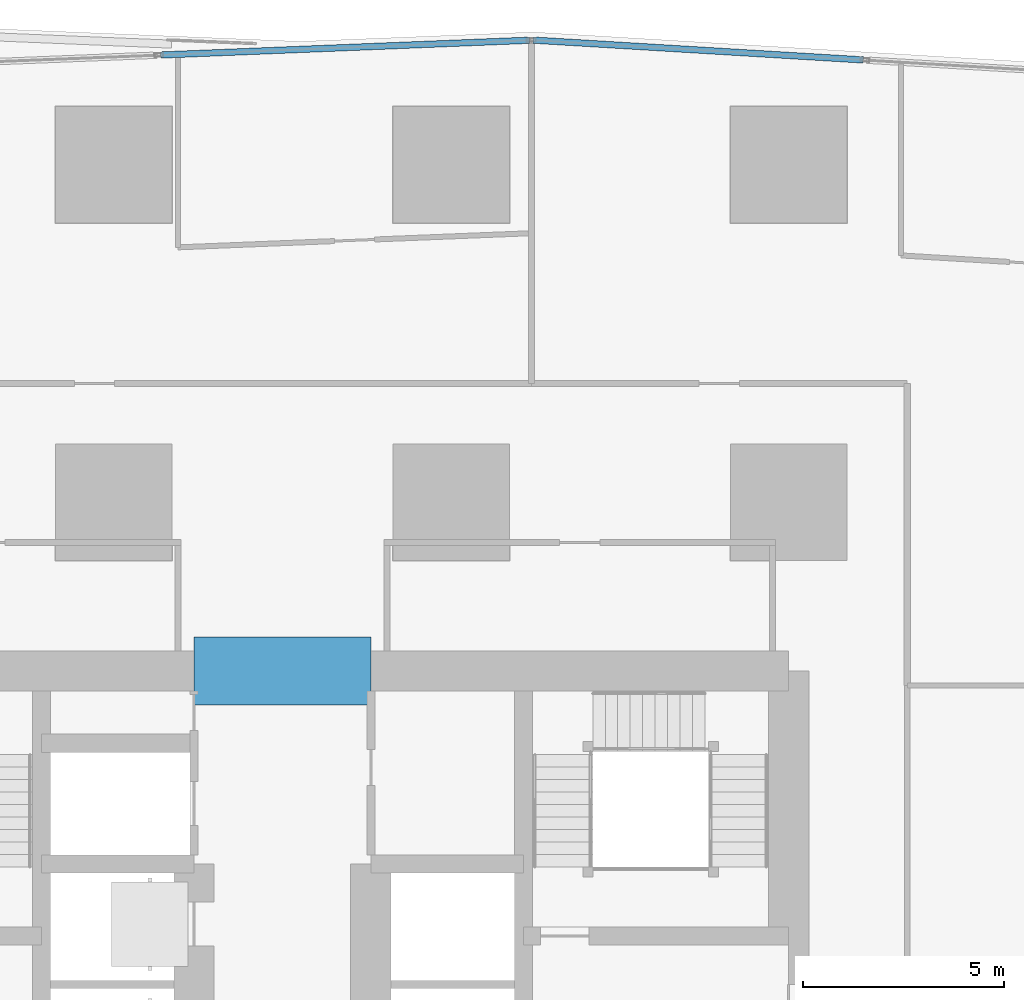
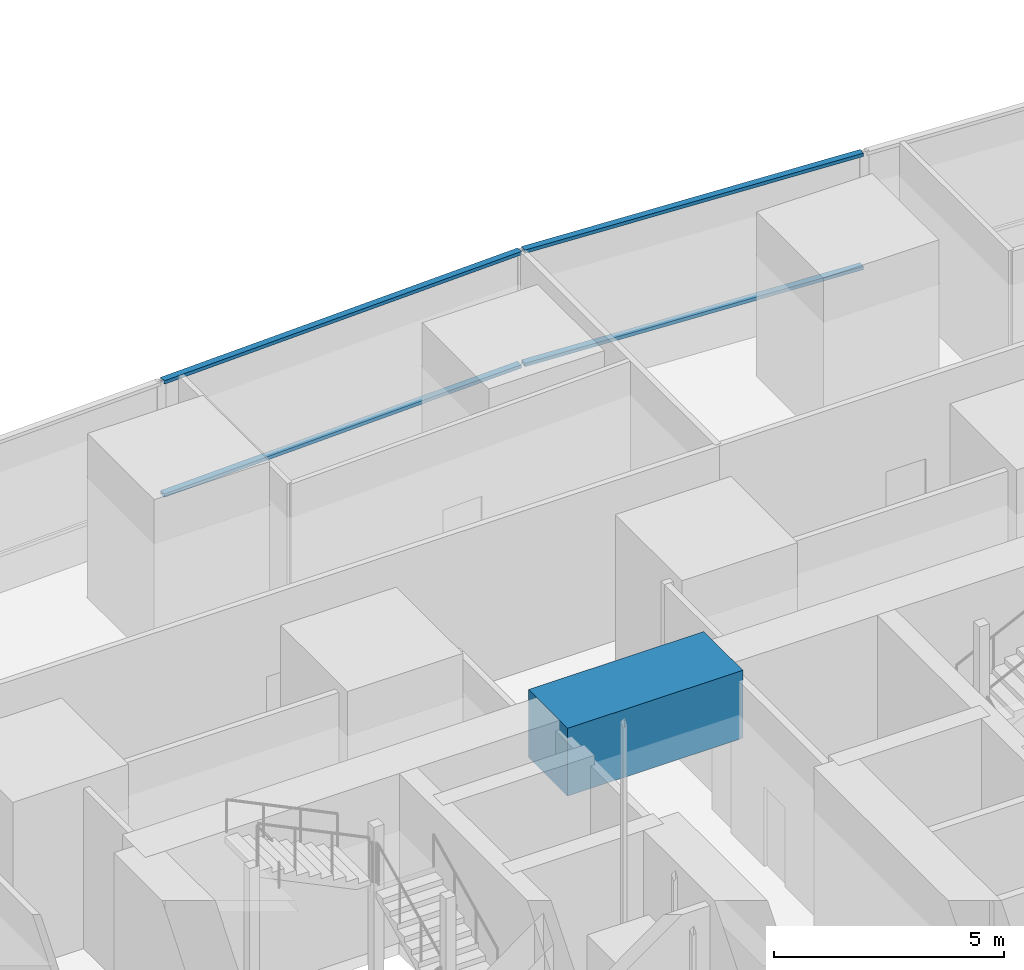
# One storey, part 11 of 44: 4 members, 1 beam, 2 elements without a shape of their own.
"""IFC4 building model written with IfcOpenShell, lengths in metres."""

from ifc_helpers import new_model, si_unit, direction, frame, origin, origin_2d, place, context, subcontext, project, spatial, rectangle, hollow_rectangle, extrude, material, material_profile, profile_set, type_object, element, aggregate, save


model = new_model("IFC4")

# Units and contexts
model_context = context("Model", 3, precision=1e-05, world=origin(), true_north=direction((0.0, 1.0)))
body_context = subcontext(model_context, "Body", "Model", "MODEL_VIEW")
ifc_project = project(units=[si_unit("LENGTHUNIT", "METRE"), si_unit("AREAUNIT", "SQUARE_METRE"), si_unit("VOLUMEUNIT", "CUBIC_METRE"), si_unit("PLANEANGLEUNIT", "RADIAN"), si_unit("MASSUNIT", "GRAM", prefix="KILO")], contexts=[model_context])

# Site, building, storey
site_placement = place(None, origin())
site = spatial("IfcSite", under=ifc_project, at=site_placement, CompositionType="ELEMENT")
building_placement = place(site_placement, origin())
building = spatial("IfcBuilding", under=site, at=building_placement, Name="Rekha Terrace Tower", CompositionType="ELEMENT")
storey_placement = place(building_placement, frame((0.0, 0.0, 90.800048828125)))
storey = spatial("IfcBuildingStorey", under=building, at=storey_placement, Name="L22", CompositionType="ELEMENT", Elevation=90.800048828125)

# Curtain wall, members
ifc_material_1 = material(Name="Aluminium framing", Category="aluminium")
curtain_wall_type = type_object("IfcCurtainWallType", Name="CW5 sky garden glazing", PredefinedType="USERDEFINED", material=ifc_material_1)
curtain_wall_1_placement = place(storey_placement, origin())
curtain_wall_1 = element("IfcCurtainWall", 1, at=curtain_wall_1_placement, inside=storey, type_object=curtain_wall_type, Name="CW5 sky garden curtain wall", ObjectType="SKY GARDEN CURTAIN WALL", PredefinedType="USERDEFINED")
ifc_material_2 = material(Name="Aluminium transom section", Category="aluminium")
ifc_material_profile_1 = material_profile(ifc_material_2, hollow_rectangle(XDim=0.159912109375, YDim=0.090087890625, WallThickness=0.0029296875, at=origin_2d()), Name="AL RHS 160x90")
ifc_profile_set_1 = profile_set([ifc_material_profile_1], Name="Aluminium transom section")
member_type = type_object("IfcMemberType", Name="CW5 transom RHS 90 x 160", PredefinedType="USERDEFINED", material=ifc_profile_set_1)
member_1_placement = place(storey_placement, frame((52.254638671875, 61.406005859375, 1.199951171875), z_axis=(-0.998200054627, 0.059972084696, 0.0), x_axis=(-0.059972084696, -0.998200054627, 0.0)))
member_1 = element("IfcMember", 2, at=member_1_placement, type_object=member_type, Name="CW5 transom 3.2", ObjectType="TRANSOM", PredefinedType="USERDEFINED", context=body_context, shape_type="SweptSolid", body=[
    extrude(hollow_rectangle(XDim=0.159912109375, YDim=0.090087890625, WallThickness=0.0029296875, at=origin_2d()), origin(), (0.0, 0.0, 1.0), 8.2314453125),
])
member_2_placement = place(storey_placement, frame((52.254638671875, 61.406005859375, 4.204833984375), z_axis=(-0.998200054627, 0.059972084696, 0.0), x_axis=(-0.059972084696, -0.998200054627, 0.0)))
member_2 = element("IfcMember", 3, at=member_2_placement, type_object=member_type, Name="CW5 transom 3.3", ObjectType="TRANSOM", PredefinedType="USERDEFINED", context=body_context, shape_type="SweptSolid", body=[
    extrude(hollow_rectangle(XDim=0.159912109375, YDim=0.090087890625, WallThickness=0.0029296875, at=origin_2d()), origin(), (0.0, 0.0, 1.0), 8.2314453125),
])
aggregate(curtain_wall_1, [member_1, member_2])

curtain_wall_2_placement = place(storey_placement, origin())
curtain_wall_2 = element("IfcCurtainWall", 4, at=curtain_wall_2_placement, inside=storey, type_object=curtain_wall_type, Name="CW5 sky garden curtain wall", ObjectType="SKY GARDEN CURTAIN WALL", PredefinedType="USERDEFINED")
member_3_placement = place(storey_placement, frame((43.947998046875, 61.896240234375, 1.199951171875), z_axis=(-0.999198366345, -0.040032795225, 0.0), x_axis=(0.040032795225, -0.999198366345, 0.0)))
member_3 = element("IfcMember", 5, at=member_3_placement, type_object=member_type, Name="CW5 transom 1.2", ObjectType="TRANSOM", PredefinedType="USERDEFINED", context=body_context, shape_type="SweptSolid", body=[
    extrude(hollow_rectangle(XDim=0.159912109375, YDim=0.090087890625, WallThickness=0.0029296875, at=origin_2d()), origin(), (0.0, 0.0, 1.0), 9.184326171875),
])
member_4_placement = place(storey_placement, frame((43.947998046875, 61.896240234375, 4.204833984375), z_axis=(-0.999198366345, -0.040032795225, 0.0), x_axis=(0.040032795225, -0.999198366345, 0.0)))
member_4 = element("IfcMember", 6, at=member_4_placement, type_object=member_type, Name="CW5 transom 1.3", ObjectType="TRANSOM", PredefinedType="USERDEFINED", context=body_context, shape_type="SweptSolid", body=[
    extrude(hollow_rectangle(XDim=0.159912109375, YDim=0.090087890625, WallThickness=0.0029296875, at=origin_2d()), origin(), (0.0, 0.0, 1.0), 9.184326171875),
])
aggregate(curtain_wall_2, [member_3, member_4])

# Beam
ifc_material_3 = material(Name="Concrete M70", Category="concrete")
ifc_material_profile_2 = material_profile(ifc_material_3, rectangle(XDim=1.699951171875, YDim=1.800048828125, at=origin_2d()), Name="RC 1700x1800")
ifc_profile_set_2 = profile_set([ifc_material_profile_2], Name="Concrete M70")
beam_type = type_object("IfcBeamType", Name="LB2B 1700x1800 diagonally reinforced coupling beam", PredefinedType="LINTEL", material=ifc_profile_set_2)
beam_placement = place(storey_placement, frame((35.60009765625, 46.199951171875, 3.599853515625), z_axis=(1.0, 0.0, 0.0), x_axis=(0.0, 1.0, 0.0)))
element("IfcBeam", 7, at=beam_placement, inside=storey, type_object=beam_type, Name="Coupling beam LB2B N L22", PredefinedType="LINTEL", context=body_context, shape_type="SweptSolid", body=[
    extrude(rectangle(XDim=1.699951171875, YDim=1.800048828125, at=origin_2d()), origin(), (0.0, 0.0, 1.0), 4.39990234375),
])

save(model, "model.ifc")
